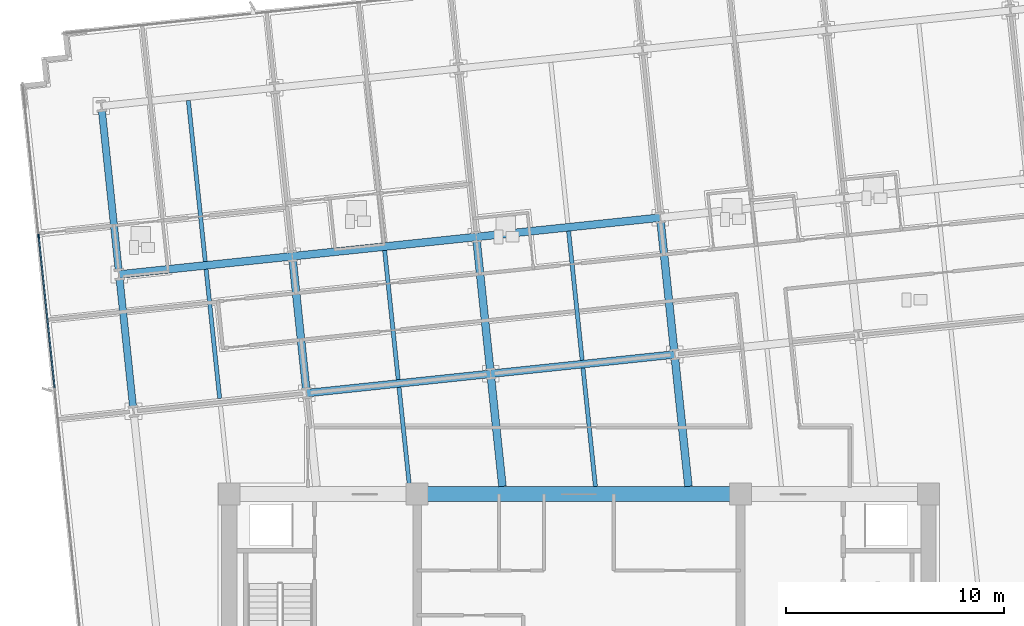
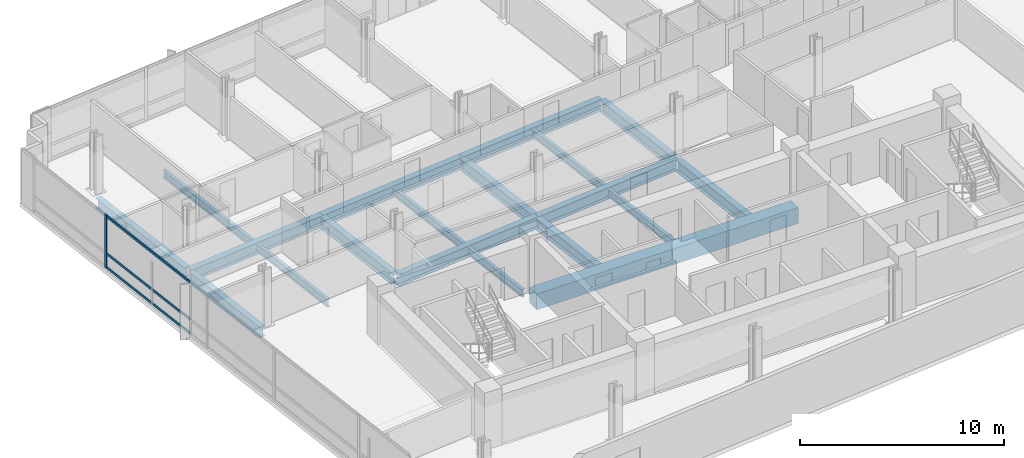
# One storey, part 3 of 17: 19 beams, 4 members, 1 element without a shape of its own.
"""IFC4 building model written with IfcOpenShell, lengths in metres."""

from ifc_helpers import new_model, si_unit, direction, frame, origin, origin_2d, place, context, subcontext, project, spatial, rectangle, i_section, extrude, material, material_profile, profile_set, type_object, element, aggregate, save


model = new_model("IFC4")

# Units and contexts
model_context = context("Model", 3, precision=1e-05, world=origin(), true_north=direction((0.0, 1.0)))
body_context = subcontext(model_context, "Body", "Model", "MODEL_VIEW")
ifc_project = project(units=[si_unit("LENGTHUNIT", "METRE"), si_unit("AREAUNIT", "SQUARE_METRE"), si_unit("VOLUMEUNIT", "CUBIC_METRE"), si_unit("PLANEANGLEUNIT", "RADIAN"), si_unit("MASSUNIT", "GRAM", prefix="KILO")], contexts=[model_context])

# Site, building, storey
site_placement = place(None, origin())
site = spatial("IfcSite", under=ifc_project, at=site_placement, CompositionType="ELEMENT")
building_placement = place(site_placement, origin())
building = spatial("IfcBuilding", under=site, at=building_placement, Name="Solmavex Isthmus Hotel", CompositionType="ELEMENT")
storey_placement = place(building_placement, frame((0.0, 0.0, 116.699951171875)))
storey = spatial("IfcBuildingStorey", under=building, at=storey_placement, Name="L31", CompositionType="ELEMENT", Elevation=116.699951171875)

# Beams
ifc_material_1 = material(Name="Steel ASTM A992 Grade 50", Category="steel")
ifc_material_profile_1 = material_profile(ifc_material_1, i_section(OverallWidth=0.354736328125, OverallDepth=0.695556640625, WebThickness=0.015380859375, FlangeThickness=0.02490234375, FilletRadius=0.017822265625, at=origin_2d()), Name="W27X146")
ifc_profile_set_1 = profile_set([ifc_material_profile_1], Name="Steel ASTM A992 Grade 50")
beam_type_1 = type_object("IfcBeamType", Name="BM-BG-W27X146", PredefinedType="BEAM", material=ifc_profile_set_1)
beam_1_placement = place(storey_placement, frame((-12.458740234375, 2.11865234375, -0.607666015625), z_axis=(0.994521085209, 0.104536171134, 0.0), x_axis=(-0.104536171134, 0.994521085209, 0.0)))
element("IfcBeam", 1, at=beam_1_placement, inside=storey, type_object=beam_type_1, Name="Floor Girder L31-UG08", PredefinedType="BEAM", context=body_context, shape_type="SweptSolid", body=[
    extrude(i_section(OverallWidth=0.354736328125, OverallDepth=0.695556640625, WebThickness=0.015380859375, FlangeThickness=0.02490234375, FilletRadius=0.017822265625, at=origin_2d()), origin(), (0.0, 0.0, 1.0), 8.466064453125),
])
beam_2_placement = place(storey_placement, frame((-4.0390625, 3.003662109375, -0.607666015625), z_axis=(0.994523767887, 0.104510645909, 0.0), x_axis=(-0.104510645909, 0.994523767887, 0.0)))
element("IfcBeam", 2, at=beam_2_placement, inside=storey, type_object=beam_type_1, Name="Floor Girder L31-UG09", PredefinedType="BEAM", context=body_context, shape_type="SweptSolid", body=[
    extrude(i_section(OverallWidth=0.354736328125, OverallDepth=0.695556640625, WebThickness=0.015380859375, FlangeThickness=0.02490234375, FilletRadius=0.017822265625, at=origin_2d()), origin(), (0.0, 0.0, 1.0), 8.4658203125),
])
beam_3_placement = place(storey_placement, frame((-21.04150390625, 7.54931640625, -0.607666015625), z_axis=(0.994523402738, 0.104514120609, 0.0), x_axis=(-0.104514120609, 0.994523402738, 0.0)))
element("IfcBeam", 3, at=beam_3_placement, inside=storey, type_object=beam_type_1, Name="Floor Girder L31-UG13", PredefinedType="BEAM", context=body_context, shape_type="SweptSolid", body=[
    extrude(i_section(OverallWidth=0.354736328125, OverallDepth=0.695556640625, WebThickness=0.015380859375, FlangeThickness=0.02490234375, FilletRadius=0.017822265625, at=origin_2d()), origin(), (0.0, 0.0, 1.0), 7.968017578125),
])
for number, where, z_axis, x_axis, name in (
    (4, (-13.1171875, 8.382080078125, -0.607666015625), (0.994521085209, 0.104536171134, 0.0), (-0.104536171134, 0.994521085209, 0.0), "Floor Girder L31-UG14"),
    (5, (-4.697509765625, 9.26708984375, -0.607666015625), (0.994521085209, 0.104536171134, 0.0), (-0.104536171134, 0.994521085209, 0.0), "Floor Girder L31-UG15"),
):
    element("IfcBeam", number, at=place(storey_placement, frame(where, z_axis=z_axis, x_axis=x_axis)), inside=storey, type_object=beam_type_1, Name=name, PredefinedType="BEAM", context=body_context, shape_type="SweptSolid", body=[
        extrude(i_section(OverallWidth=0.354736328125, OverallDepth=0.695556640625, WebThickness=0.015380859375, FlangeThickness=0.02490234375, FilletRadius=0.017822265625, at=origin_2d()), origin(), (0.0, 0.0, 1.0), 8.466064453125),
    ])
beam_4_placement = place(storey_placement, frame((-12.477294921875, 2.295166015625, -0.607666015625), z_axis=(-0.104545790518, 0.994520074048, 0.0), x_axis=(-0.994520074048, -0.104545790518, 0.0)))
element("IfcBeam", 6, at=beam_4_placement, inside=storey, type_object=beam_type_1, Name="Floor Beam L31-VG30", PredefinedType="BEAM", context=body_context, shape_type="SweptSolid", body=[
    extrude(i_section(OverallWidth=0.354736328125, OverallDepth=0.695556640625, WebThickness=0.015380859375, FlangeThickness=0.02490234375, FilletRadius=0.017822265625, at=origin_2d()), origin(), (0.0, 0.0, 1.0), 5.943115234375),
])
beam_5_placement = place(storey_placement, frame((-3.49755859375, -2.14990234375, -0.607666015625), z_axis=(-0.104496861251, 0.994525216366, 0.0), x_axis=(-0.994525216366, -0.104496861251, 0.0)))
element("IfcBeam", 7, at=beam_5_placement, inside=storey, type_object=beam_type_1, Name="Floor Beam L31-VG33", PredefinedType="BEAM", context=body_context, shape_type="SweptSolid", body=[
    extrude(i_section(OverallWidth=0.354736328125, OverallDepth=0.695556640625, WebThickness=0.015380859375, FlangeThickness=0.02490234375, FilletRadius=0.017822265625, at=origin_2d()), origin(), (0.0, 0.0, 1.0), 5.00439453125),
])
beam_6_placement = place(storey_placement, frame((-4.0576171875, 3.179931640625, -0.607666015625), z_axis=(-0.104545790518, 0.994520074048, 0.0), x_axis=(-0.994520074048, -0.104545790518, 0.0)))
element("IfcBeam", 8, at=beam_6_placement, inside=storey, type_object=beam_type_1, Name="Floor Beam L31-VG34", PredefinedType="BEAM", context=body_context, shape_type="SweptSolid", body=[
    extrude(i_section(OverallWidth=0.354736328125, OverallDepth=0.695556640625, WebThickness=0.015380859375, FlangeThickness=0.02490234375, FilletRadius=0.017822265625, at=origin_2d()), origin(), (0.0, 0.0, 1.0), 5.943115234375),
])
beam_7_placement = place(storey_placement, frame((5.01513671875, -2.14990234375, -0.607666015625), z_axis=(-0.104542482388, 0.994520421799, 0.0), x_axis=(-0.994520421799, -0.104542482388, 0.0)))
element("IfcBeam", 9, at=beam_7_placement, inside=storey, type_object=beam_type_1, Name="Floor Beam L31-VG37", PredefinedType="BEAM", context=body_context, shape_type="SweptSolid", body=[
    extrude(i_section(OverallWidth=0.354736328125, OverallDepth=0.695556640625, WebThickness=0.015380859375, FlangeThickness=0.02490234375, FilletRadius=0.017822265625, at=origin_2d()), origin(), (0.0, 0.0, 1.0), 5.894287109375),
])
beam_8_placement = place(storey_placement, frame((4.362060546875, 4.06494140625, -0.607666015625), z_axis=(-0.104545790518, 0.994520074048, 0.0), x_axis=(-0.994520074048, -0.104545790518, 0.0)))
element("IfcBeam", 10, at=beam_8_placement, inside=storey, type_object=beam_type_1, Name="Floor Beam L31-VG38", PredefinedType="BEAM", context=body_context, shape_type="SweptSolid", body=[
    extrude(i_section(OverallWidth=0.354736328125, OverallDepth=0.695556640625, WebThickness=0.015380859375, FlangeThickness=0.02490234375, FilletRadius=0.017822265625, at=origin_2d()), origin(), (0.0, 0.0, 1.0), 5.943115234375),
])
ifc_material_profile_2 = material_profile(ifc_material_1, i_section(OverallWidth=0.1904296875, OverallDepth=0.456787109375, WebThickness=0.009033203125, FlangeThickness=0.014404296875, FilletRadius=0.0126953125, at=origin_2d()), Name="W18X50")
ifc_profile_set_2 = profile_set([ifc_material_profile_2], Name="Steel ASTM A992 Grade 50")
beam_type_2 = type_object("IfcBeamType", Name="BM-BJ-W18X50", PredefinedType="JOIST", material=ifc_profile_set_2)
beam_9_placement = place(storey_placement, frame((-16.439453125, 1.878662109375, -0.48828125), z_axis=(-0.104545790518, 0.994520074048, 0.0), x_axis=(-0.994520074048, -0.104545790518, 0.0)))
element("IfcBeam", 11, at=beam_9_placement, inside=storey, type_object=beam_type_2, Name="Secondary Floor Joist L31-J03", PredefinedType="JOIST", context=body_context, shape_type="SweptSolid", body=[
    extrude(i_section(OverallWidth=0.1904296875, OverallDepth=0.456787109375, WebThickness=0.009033203125, FlangeThickness=0.014404296875, FilletRadius=0.0126953125, at=origin_2d()), origin(), (0.0, 0.0, 1.0), 5.943115234375),
])
beam_10_placement = place(storey_placement, frame((-17.097900390625, 8.14208984375, -0.48828125), z_axis=(-0.104525307271, 0.994522227072, 0.0), x_axis=(-0.994522227072, -0.104525307271, 0.0)))
element("IfcBeam", 12, at=beam_10_placement, inside=storey, type_object=beam_type_2, Name="Secondary Floor Joist L31-J04", PredefinedType="JOIST", context=body_context, shape_type="SweptSolid", body=[
    extrude(i_section(OverallWidth=0.1904296875, OverallDepth=0.456787109375, WebThickness=0.009033203125, FlangeThickness=0.014404296875, FilletRadius=0.0126953125, at=origin_2d()), origin(), (0.0, 0.0, 1.0), 7.4111328125),
])
beam_11_placement = place(storey_placement, frame((-7.75390625, -2.14990234375, -0.48828125), z_axis=(-0.104517550263, 0.994523042311, 0.0), x_axis=(-0.994523042311, -0.104517550263, 0.0)))
element("IfcBeam", 13, at=beam_11_placement, inside=storey, type_object=beam_type_2, Name="Secondary Floor Joist L31-J06", PredefinedType="JOIST", context=body_context, shape_type="SweptSolid", body=[
    extrude(i_section(OverallWidth=0.1904296875, OverallDepth=0.456787109375, WebThickness=0.009033203125, FlangeThickness=0.014404296875, FilletRadius=0.0126953125, at=origin_2d()), origin(), (0.0, 0.0, 1.0), 4.5595703125),
])
beam_12_placement = place(storey_placement, frame((-8.267578125, 2.737548828125, -0.48828125), z_axis=(-0.104505160346, 0.994524344328, 0.0), x_axis=(-0.994524344328, -0.104505160346, 0.0)))
element("IfcBeam", 14, at=beam_12_placement, inside=storey, type_object=beam_type_2, Name="Secondary Floor Joist L31-J07", PredefinedType="JOIST", context=body_context, shape_type="SweptSolid", body=[
    extrude(i_section(OverallWidth=0.1904296875, OverallDepth=0.456787109375, WebThickness=0.009033203125, FlangeThickness=0.014404296875, FilletRadius=0.0126953125, at=origin_2d()), origin(), (0.0, 0.0, 1.0), 5.943115234375),
])
beam_13_placement = place(storey_placement, frame((0.7587890625, -2.14990234375, -0.48828125), z_axis=(-0.104523862956, 0.99452237887, 0.0), x_axis=(-0.99452237887, -0.104523862956, 0.0)))
element("IfcBeam", 15, at=beam_13_placement, inside=storey, type_object=beam_type_2, Name="Secondary Floor Joist L31-J10", PredefinedType="JOIST", context=body_context, shape_type="SweptSolid", body=[
    extrude(i_section(OverallWidth=0.1904296875, OverallDepth=0.456787109375, WebThickness=0.009033203125, FlangeThickness=0.014404296875, FilletRadius=0.0126953125, at=origin_2d()), origin(), (0.0, 0.0, 1.0), 5.44921875),
])
beam_14_placement = place(storey_placement, frame((0.152099609375, 3.62255859375, -0.48828125), z_axis=(-0.104505160346, 0.994524344328, 0.0), x_axis=(-0.994524344328, -0.104505160346, 0.0)))
element("IfcBeam", 16, at=beam_14_placement, inside=storey, type_object=beam_type_2, Name="Secondary Floor Joist L31-J11", PredefinedType="JOIST", context=body_context, shape_type="SweptSolid", body=[
    extrude(i_section(OverallWidth=0.1904296875, OverallDepth=0.456787109375, WebThickness=0.009033203125, FlangeThickness=0.014404296875, FilletRadius=0.0126953125, at=origin_2d()), origin(), (0.0, 0.0, 1.0), 5.943115234375),
])
ifc_material_2 = material(Name="Concrete C60/75", Category="concrete")
ifc_material_profile_3 = material_profile(ifc_material_2, rectangle(XDim=0.699951171875, YDim=0.949951171875, at=origin_2d()), Name="RC700X950")
ifc_profile_set_3 = profile_set([ifc_material_profile_3], Name="Concrete C60/75")
beam_type_3 = type_object("IfcBeamType", Name="BM-CB-700X950", PredefinedType="BEAM", material=ifc_profile_set_3)
beam_15_placement = place(storey_placement, frame((-7.39990234375, -2.5, -0.73486328125), z_axis=(1.0, 0.0, 0.0), x_axis=(0.0, 1.0, 0.0)))
element("IfcBeam", 17, at=beam_15_placement, inside=storey, type_object=beam_type_3, Name="Core Coupling Beam L31-CB5", PredefinedType="BEAM", context=body_context, shape_type="SweptSolid", body=[
    extrude(rectangle(XDim=0.699951171875, YDim=0.949951171875, at=origin_2d()), origin(), (0.0, 0.0, 1.0), 14.7998046875),
])
ifc_material_profile_4 = material_profile(ifc_material_1, i_section(OverallWidth=0.326416015625, OverallDepth=0.621826171875, WebThickness=0.015380859375, FlangeThickness=0.0244140625, FilletRadius=0.01513671875, at=origin_2d()), Name="W24X131")
ifc_profile_set_4 = profile_set([ifc_material_profile_4], Name="Steel ASTM A992 Grade 50")
beam_type_4 = type_object("IfcBeamType", Name="BM-SP-W24X131", PredefinedType="SPANDREL", material=ifc_profile_set_4)
beam_16_placement = place(storey_placement, frame((-20.401611328125, 1.462158203125, -0.57080078125), z_axis=(-0.104545790518, 0.994520074048, 0.0), x_axis=(-0.994520074048, -0.104545790518, 0.0)))
element("IfcBeam", 18, at=beam_16_placement, inside=storey, type_object=beam_type_4, Name="Floor Beam L31-VG26", PredefinedType="SPANDREL", context=body_context, shape_type="SweptSolid", body=[
    extrude(i_section(OverallWidth=0.326416015625, OverallDepth=0.621826171875, WebThickness=0.015380859375, FlangeThickness=0.0244140625, FilletRadius=0.01513671875, at=origin_2d()), origin(), (0.0, 0.0, 1.0), 5.943115234375),
])
beam_17_placement = place(storey_placement, frame((-21.06005859375, 7.7255859375, -0.57080078125), z_axis=(-0.10452188296, 0.994522586964, 0.0), x_axis=(-0.994522586964, -0.10452188296, 0.0)))
element("IfcBeam", 19, at=beam_17_placement, inside=storey, type_object=beam_type_4, Name="Floor Beam L31-VG27", PredefinedType="SPANDREL", context=body_context, shape_type="SweptSolid", body=[
    extrude(i_section(OverallWidth=0.326416015625, OverallDepth=0.621826171875, WebThickness=0.015380859375, FlangeThickness=0.0244140625, FilletRadius=0.01513671875, at=origin_2d()), origin(), (0.0, 0.0, 1.0), 7.411376953125),
])

# Curtain wall, members
ifc_material_3 = material(Name="Aluminium alloy 6063-T6", Category="aluminium")
curtain_wall_type = type_object("IfcCurtainWallType", Name="CW-SYS-03", PredefinedType="NOTDEFINED", material=ifc_material_3)
curtain_wall_placement = place(storey_placement, origin())
curtain_wall = element("IfcCurtainWall", 20, at=curtain_wall_placement, inside=storey, type_object=curtain_wall_type, Name="Stick Curtain Wall CWL-L31-W1", PredefinedType="NOTDEFINED")
ifc_material_profile_5 = material_profile(ifc_material_3, rectangle(XDim=0.070068359375, YDim=0.179931640625, at=origin_2d()), Name="CWM-70X180")
ifc_profile_set_5 = profile_set([ifc_material_profile_5], Name="Aluminium alloy 6063-T6")
member_type_1 = type_object("IfcMemberType", Name="CW-SYS-03-MUL", PredefinedType="MULLION", material=ifc_profile_set_5)
member_1_placement = place(storey_placement, frame((-24.725341796875, 9.305908203125, 0.0), z_axis=(0.0, 0.0, 1.0), x_axis=(-0.994521893044, -0.104528485381, 0.0)))
member_1 = element("IfcMember", 21, at=member_1_placement, type_object=member_type_1, Name="CW-03 mullion 5", PredefinedType="MULLION", context=body_context, shape_type="SweptSolid", body=[
    extrude(rectangle(XDim=0.070068359375, YDim=0.179931640625, at=origin_2d()), origin(), (0.0, 0.0, 1.0), 3.18994140625),
])
ifc_material_profile_6 = material_profile(ifc_material_3, rectangle(XDim=0.070068359375, YDim=0.139892578125, at=origin_2d()), Name="CWT-70X140")
ifc_profile_set_6 = profile_set([ifc_material_profile_6], Name="Aluminium alloy 6063-T6")
member_type_2 = type_object("IfcMemberType", Name="CW-SYS-03-TRN", PredefinedType="USERDEFINED", material=ifc_profile_set_6)
member_2_placement = place(storey_placement, frame((-23.9951171875, 2.359130859375, 0.070068359375), z_axis=(-0.104542152467, 0.99452045648, 0.0), x_axis=(-0.99452045648, -0.104542152467, 0.0)))
member_2 = element("IfcMember", 22, at=member_2_placement, type_object=member_type_2, Name="CW-03 transom 4.1", ObjectType="TRANSOM", PredefinedType="USERDEFINED", context=body_context, shape_type="SweptSolid", body=[
    extrude(rectangle(XDim=0.070068359375, YDim=0.139892578125, at=origin_2d()), origin(), (0.0, 0.0, 1.0), 6.949951171875),
])
member_3_placement = place(storey_placement, frame((-23.9951171875, 2.359130859375, 0.900146484375), z_axis=(-0.104542152467, 0.99452045648, 0.0), x_axis=(-0.99452045648, -0.104542152467, 0.0)))
member_3 = element("IfcMember", 23, at=member_3_placement, type_object=member_type_2, Name="CW-03 transom 4.2", ObjectType="TRANSOM", PredefinedType="USERDEFINED", context=body_context, shape_type="SweptSolid", body=[
    extrude(rectangle(XDim=0.070068359375, YDim=0.139892578125, at=origin_2d()), origin(), (0.0, 0.0, 1.0), 6.949951171875),
])
member_4_placement = place(storey_placement, frame((-23.9951171875, 2.359130859375, 3.1201171875), z_axis=(-0.104542152467, 0.99452045648, 0.0), x_axis=(-0.99452045648, -0.104542152467, 0.0)))
member_4 = element("IfcMember", 24, at=member_4_placement, type_object=member_type_2, Name="CW-03 transom 4.3", ObjectType="TRANSOM", PredefinedType="USERDEFINED", context=body_context, shape_type="SweptSolid", body=[
    extrude(rectangle(XDim=0.070068359375, YDim=0.139892578125, at=origin_2d()), origin(), (0.0, 0.0, 1.0), 6.949951171875),
])
aggregate(curtain_wall, [member_1, member_2, member_3, member_4])

save(model, "model.ifc")
